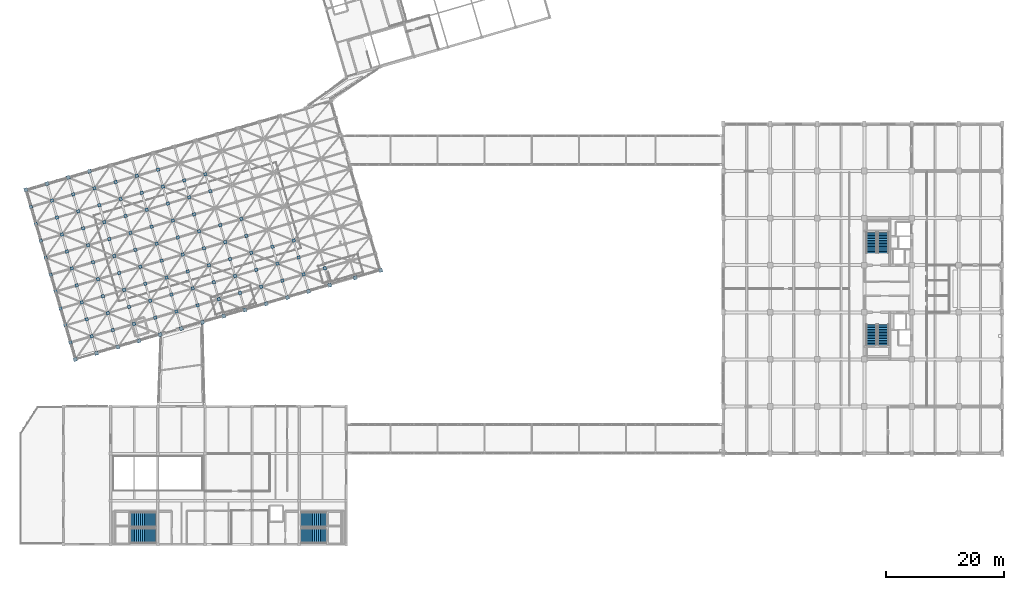
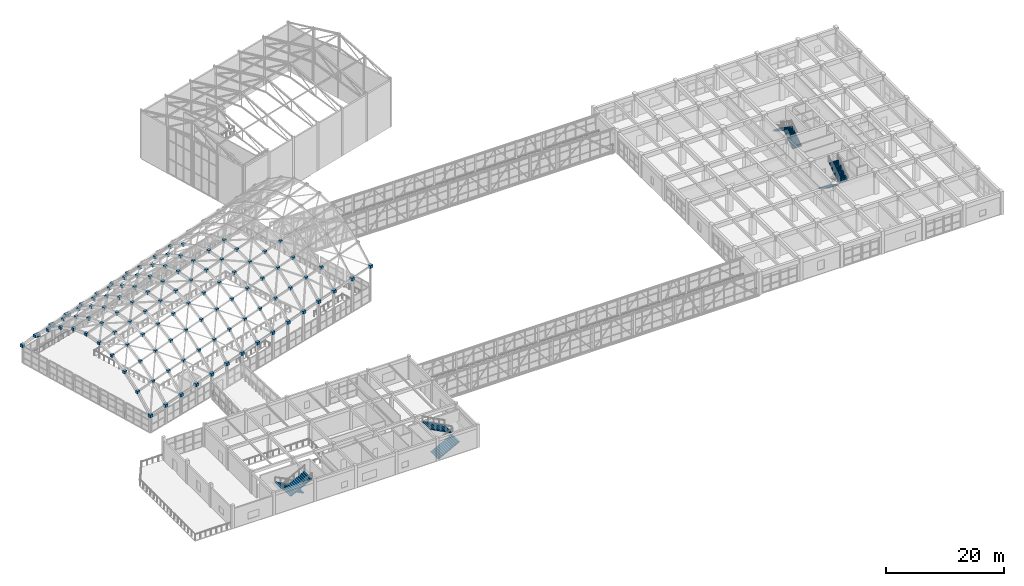
# One storey, part 230 of 248: 109 discrete accessories, 8 stair flights, 4 elements without a shape of their own.
"""IFC4 building model written with IfcOpenShell, lengths in metres."""

from ifc_helpers import new_model, si_unit, direction, frame, origin, origin_2d, place, context, subcontext, project, spatial, polyline, rectangle, outline, extrude, material, type_object, element, aggregate, save


model = new_model("IFC4")

# Units and contexts
model_context = context("Model", 3, precision=1e-05, world=origin(), true_north=direction((0.0, 1.0)))
body_context = subcontext(model_context, "Body", "Model", "MODEL_VIEW")
ifc_project = project(units=[si_unit("LENGTHUNIT", "METRE"), si_unit("AREAUNIT", "SQUARE_METRE"), si_unit("VOLUMEUNIT", "CUBIC_METRE"), si_unit("PLANEANGLEUNIT", "RADIAN"), si_unit("MASSUNIT", "GRAM", prefix="KILO")], contexts=[model_context])

# Site, building, storey
site_placement = place(None, origin())
site = spatial("IfcSite", under=ifc_project, at=site_placement, CompositionType="ELEMENT")
building_placement = place(site_placement, origin())
building = spatial("IfcBuilding", under=site, at=building_placement, Name="Canggui Botanical Conservatory", CompositionType="ELEMENT")
storey_placement = place(building_placement, frame((0.0, 0.0, 5.39990234375)))
storey = spatial("IfcBuildingStorey", under=building, at=storey_placement, Name="L02", CompositionType="ELEMENT", Elevation=5.39990234375)

# Stair, stair flights
ifc_material_1 = material(Name="Concrete C35", Category="concrete")
stair_type_1 = type_object("IfcStairType", Name="STR-TYPE-4", PredefinedType="HALF_TURN_STAIR", material=ifc_material_1)
stair_1_placement = place(storey_placement, origin())
stair_1 = element("IfcStair", 1, at=stair_1_placement, inside=storey, type_object=stair_type_1, Name="L02 Tower South Smoke-Proof Stair ST-T1", PredefinedType="HALF_TURN_STAIR")
stair_flight_type_1 = type_object("IfcStairFlightType", Name="SFL-TYPE-4", PredefinedType="STRAIGHT", material=ifc_material_1)
stair_flight_1_placement = place(storey_placement, frame((155.2099609375, 47.919921875, 0.0), z_axis=(0.0, 0.0, 1.0), x_axis=(0.0, -1.0, 0.0)))
stair_flight_1 = element("IfcStairFlight", 2, at=stair_flight_1_placement, type_object=stair_flight_type_1, Name="ST-T1 flight 1", NumberOfRisers=14, NumberOfTreads=13, PredefinedType="STRAIGHT", RiserHeight=0.171428571, TreadLength=0.268, context=body_context, shape_type="SweptSolid", body=[
    extrude(outline(polyline([(0.0, 0.0), (0.0, 0.17138671875), (0.26806640625, 0.17138671875), (0.26806640625, 0.3427734375), (0.535888671875, 0.3427734375), (0.535888671875, 0.514404296875), (0.803955078125, 0.514404296875), (0.803955078125, 0.685791015625), (1.072021484375, 0.685791015625), (1.072021484375, 0.857177734375), (1.340087890625, 0.857177734375), (1.340087890625, 1.028564453125), (1.60791015625, 1.028564453125), (1.60791015625, 1.199951171875), (1.8759765625, 1.199951171875), (1.8759765625, 1.371337890625), (2.14404296875, 1.371337890625), (2.14404296875, 1.54296875), (2.412109375, 1.54296875), (2.412109375, 1.71435546875), (2.679931640625, 1.71435546875), (2.679931640625, 1.8857421875), (2.947998046875, 1.8857421875), (2.947998046875, 2.05712890625), (3.216064453125, 2.05712890625), (3.216064453125, 2.228515625), (3.48388671875, 2.228515625), (3.48388671875, 2.39990234375), (3.48388671875, 2.0859375), (0.222900390625, 0.0), (0.0, 0.0)])), frame((0.0, 0.91015625, 0.0), z_axis=(0.0, -1.0, 0.0), x_axis=(1.0, 0.0, 0.0)), (0.0, 0.0, 1.0), 1.820068359375),
])
stair_flight_2_placement = place(storey_placement, frame((157.2099609375, 44.43603515625, 2.400146484375), z_axis=(0.0, 0.0, 1.0), x_axis=(0.0, 1.0, 0.0)))
stair_flight_2 = element("IfcStairFlight", 3, at=stair_flight_2_placement, type_object=stair_flight_type_1, Name="ST-T1 flight 2", NumberOfRisers=14, NumberOfTreads=13, PredefinedType="STRAIGHT", RiserHeight=0.171428571, TreadLength=0.268, context=body_context, shape_type="SweptSolid", body=[
    extrude(outline(polyline([(0.0, 0.0), (0.0, 0.17138671875), (0.26806640625, 0.17138671875), (0.26806640625, 0.3427734375), (0.535888671875, 0.3427734375), (0.535888671875, 0.514404296875), (0.803955078125, 0.514404296875), (0.803955078125, 0.685791015625), (1.072021484375, 0.685791015625), (1.072021484375, 0.857177734375), (1.340087890625, 0.857177734375), (1.340087890625, 1.028564453125), (1.60791015625, 1.028564453125), (1.60791015625, 1.199951171875), (1.8759765625, 1.199951171875), (1.8759765625, 1.371337890625), (2.14404296875, 1.371337890625), (2.14404296875, 1.54296875), (2.412109375, 1.54296875), (2.412109375, 1.71435546875), (2.679931640625, 1.71435546875), (2.679931640625, 1.8857421875), (2.947998046875, 1.8857421875), (2.947998046875, 2.05712890625), (3.216064453125, 2.05712890625), (3.216064453125, 2.228515625), (3.48388671875, 2.228515625), (3.48388671875, 2.39990234375), (3.48388671875, 2.0859375), (0.222900390625, 0.0), (0.0, 0.0)])), frame((0.0, 0.91015625, 0.0), z_axis=(0.0, -1.0, 0.0), x_axis=(1.0, 0.0, 0.0)), (0.0, 0.0, 1.0), 1.820068359375),
])
aggregate(stair_1, [stair_flight_1, stair_flight_2])

stair_2_placement = place(storey_placement, origin())
stair_2 = element("IfcStair", 4, at=stair_2_placement, inside=storey, type_object=stair_type_1, Name="L02 Tower North Smoke-Proof Stair ST-T2", PredefinedType="HALF_TURN_STAIR")
stair_flight_3_placement = place(storey_placement, frame((157.2099609375, 60.080078125, 0.0), z_axis=(0.0, 0.0, 1.0), x_axis=(0.0, 1.0, 0.0)))
stair_flight_3 = element("IfcStairFlight", 5, at=stair_flight_3_placement, type_object=stair_flight_type_1, Name="ST-T2 flight 1", NumberOfRisers=14, NumberOfTreads=13, PredefinedType="STRAIGHT", RiserHeight=0.171428571, TreadLength=0.268, context=body_context, shape_type="SweptSolid", body=[
    extrude(outline(polyline([(0.0, 0.0), (0.0, 0.17138671875), (0.26806640625, 0.17138671875), (0.26806640625, 0.3427734375), (0.535888671875, 0.3427734375), (0.535888671875, 0.514404296875), (0.803955078125, 0.514404296875), (0.803955078125, 0.685791015625), (1.072021484375, 0.685791015625), (1.072021484375, 0.857177734375), (1.340087890625, 0.857177734375), (1.340087890625, 1.028564453125), (1.60791015625, 1.028564453125), (1.60791015625, 1.199951171875), (1.8759765625, 1.199951171875), (1.8759765625, 1.371337890625), (2.14404296875, 1.371337890625), (2.14404296875, 1.54296875), (2.412109375, 1.54296875), (2.412109375, 1.71435546875), (2.679931640625, 1.71435546875), (2.679931640625, 1.8857421875), (2.947998046875, 1.8857421875), (2.947998046875, 2.05712890625), (3.216064453125, 2.05712890625), (3.216064453125, 2.228515625), (3.48388671875, 2.228515625), (3.48388671875, 2.39990234375), (3.48388671875, 2.0859375), (0.222900390625, 0.0), (0.0, 0.0)])), frame((0.0, 0.91015625, 0.0), z_axis=(0.0, -1.0, 0.0), x_axis=(1.0, 0.0, 0.0)), (0.0, 0.0, 1.0), 1.820068359375),
])
stair_flight_4_placement = place(storey_placement, frame((155.2099609375, 63.56396484375, 2.400146484375), z_axis=(0.0, 0.0, 1.0), x_axis=(0.0, -1.0, 0.0)))
stair_flight_4 = element("IfcStairFlight", 6, at=stair_flight_4_placement, type_object=stair_flight_type_1, Name="ST-T2 flight 2", NumberOfRisers=14, NumberOfTreads=13, PredefinedType="STRAIGHT", RiserHeight=0.171428571, TreadLength=0.268, context=body_context, shape_type="SweptSolid", body=[
    extrude(outline(polyline([(0.0, 0.0), (0.0, 0.17138671875), (0.26806640625, 0.17138671875), (0.26806640625, 0.3427734375), (0.535888671875, 0.3427734375), (0.535888671875, 0.514404296875), (0.803955078125, 0.514404296875), (0.803955078125, 0.685791015625), (1.072021484375, 0.685791015625), (1.072021484375, 0.857177734375), (1.340087890625, 0.857177734375), (1.340087890625, 1.028564453125), (1.60791015625, 1.028564453125), (1.60791015625, 1.199951171875), (1.8759765625, 1.199951171875), (1.8759765625, 1.371337890625), (2.14404296875, 1.371337890625), (2.14404296875, 1.54296875), (2.412109375, 1.54296875), (2.412109375, 1.71435546875), (2.679931640625, 1.71435546875), (2.679931640625, 1.8857421875), (2.947998046875, 1.8857421875), (2.947998046875, 2.05712890625), (3.216064453125, 2.05712890625), (3.216064453125, 2.228515625), (3.48388671875, 2.228515625), (3.48388671875, 2.39990234375), (3.48388671875, 2.0859375), (0.222900390625, 0.0), (0.0, 0.0)])), frame((0.0, 0.91015625, 0.0), z_axis=(0.0, -1.0, 0.0), x_axis=(1.0, 0.0, 0.0)), (0.0, 0.0, 1.0), 1.820068359375),
])
aggregate(stair_2, [stair_flight_3, stair_flight_4])

stair_type_2 = type_object("IfcStairType", Name="STR-TYPE-8", PredefinedType="HALF_TURN_STAIR", material=ifc_material_1)
stair_3_placement = place(storey_placement, origin())
stair_3 = element("IfcStair", 7, at=stair_3_placement, inside=storey, type_object=stair_type_2, Name="L02 Visitor Centre East Stair ST-V1", PredefinedType="HALF_TURN_STAIR")
stair_flight_type_2 = type_object("IfcStairFlightType", Name="SFL-TYPE-8", PredefinedType="STRAIGHT", material=ifc_material_1)
stair_flight_5_placement = place(storey_placement, frame((58.35009765625, 12.054931640625, 0.0), z_axis=(0.0, 0.0, 1.0), x_axis=(1.0, 0.0, 0.0)))
stair_flight_5 = element("IfcStairFlight", 8, at=stair_flight_5_placement, type_object=stair_flight_type_2, Name="ST-V1 flight 1", NumberOfRisers=14, NumberOfTreads=13, PredefinedType="STRAIGHT", RiserHeight=0.171428571, TreadLength=0.325, context=body_context, shape_type="SweptSolid", body=[
    extrude(outline(polyline([(0.0, 0.0), (0.0, 0.17138671875), (0.324951171875, 0.17138671875), (0.324951171875, 0.3427734375), (0.64990234375, 0.3427734375), (0.64990234375, 0.514404296875), (0.97509765625, 0.514404296875), (0.97509765625, 0.685791015625), (1.300048828125, 0.685791015625), (1.300048828125, 0.857177734375), (1.625, 0.857177734375), (1.625, 1.028564453125), (1.949951171875, 1.028564453125), (1.949951171875, 1.199951171875), (2.27490234375, 1.199951171875), (2.27490234375, 1.371337890625), (2.60009765625, 1.371337890625), (2.60009765625, 1.54296875), (2.925048828125, 1.54296875), (2.925048828125, 1.71435546875), (3.25, 1.71435546875), (3.25, 1.8857421875), (3.574951171875, 1.8857421875), (3.574951171875, 2.05712890625), (3.89990234375, 2.05712890625), (3.89990234375, 2.228515625), (4.22509765625, 2.228515625), (4.22509765625, 2.39990234375), (4.22509765625, 2.0927734375), (0.257568359375, 0.0), (0.0, 0.0)])), frame((0.0, 1.27490234375, 0.0), z_axis=(0.0, -1.0, 0.0), x_axis=(1.0, 0.0, 0.0)), (0.0, 0.0, 1.0), 2.550048828125),
])
stair_flight_6_placement = place(storey_placement, frame((62.574951171875, 14.764892578125, 2.400146484375), z_axis=(0.0, 0.0, 1.0), x_axis=(-1.0, 0.0, 0.0)))
stair_flight_6 = element("IfcStairFlight", 9, at=stair_flight_6_placement, type_object=stair_flight_type_2, Name="ST-V1 flight 2", NumberOfRisers=14, NumberOfTreads=13, PredefinedType="STRAIGHT", RiserHeight=0.171428571, TreadLength=0.325, context=body_context, shape_type="SweptSolid", body=[
    extrude(outline(polyline([(0.0, 0.0), (0.0, 0.17138671875), (0.324951171875, 0.17138671875), (0.324951171875, 0.3427734375), (0.64990234375, 0.3427734375), (0.64990234375, 0.514404296875), (0.97509765625, 0.514404296875), (0.97509765625, 0.685791015625), (1.300048828125, 0.685791015625), (1.300048828125, 0.857177734375), (1.625, 0.857177734375), (1.625, 1.028564453125), (1.949951171875, 1.028564453125), (1.949951171875, 1.199951171875), (2.27490234375, 1.199951171875), (2.27490234375, 1.371337890625), (2.60009765625, 1.371337890625), (2.60009765625, 1.54296875), (2.925048828125, 1.54296875), (2.925048828125, 1.71435546875), (3.25, 1.71435546875), (3.25, 1.8857421875), (3.574951171875, 1.8857421875), (3.574951171875, 2.05712890625), (3.89990234375, 2.05712890625), (3.89990234375, 2.228515625), (4.22509765625, 2.228515625), (4.22509765625, 2.39990234375), (4.22509765625, 2.0927734375), (0.257568359375, 0.0), (0.0, 0.0)])), frame((0.0, 1.27490234375, 0.0), z_axis=(0.0, -1.0, 0.0), x_axis=(1.0, 0.0, 0.0)), (0.0, 0.0, 1.0), 2.550048828125),
])
aggregate(stair_3, [stair_flight_5, stair_flight_6])

stair_4_placement = place(storey_placement, origin())
stair_4 = element("IfcStair", 10, at=stair_4_placement, inside=storey, type_object=stair_type_2, Name="L02 Visitor Centre West Stair ST-V2", PredefinedType="HALF_TURN_STAIR")
stair_flight_7_placement = place(storey_placement, frame((33.64990234375, 14.764892578125, 0.0), z_axis=(0.0, 0.0, 1.0), x_axis=(-1.0, 0.0, 0.0)))
stair_flight_7 = element("IfcStairFlight", 11, at=stair_flight_7_placement, type_object=stair_flight_type_2, Name="ST-V2 flight 1", NumberOfRisers=14, NumberOfTreads=13, PredefinedType="STRAIGHT", RiserHeight=0.171428571, TreadLength=0.325, context=body_context, shape_type="SweptSolid", body=[
    extrude(outline(polyline([(0.0, 0.0), (0.0, 0.17138671875), (0.324951171875, 0.17138671875), (0.324951171875, 0.3427734375), (0.64990234375, 0.3427734375), (0.64990234375, 0.514404296875), (0.97509765625, 0.514404296875), (0.97509765625, 0.685791015625), (1.300048828125, 0.685791015625), (1.300048828125, 0.857177734375), (1.625, 0.857177734375), (1.625, 1.028564453125), (1.949951171875, 1.028564453125), (1.949951171875, 1.199951171875), (2.27490234375, 1.199951171875), (2.27490234375, 1.371337890625), (2.60009765625, 1.371337890625), (2.60009765625, 1.54296875), (2.925048828125, 1.54296875), (2.925048828125, 1.71435546875), (3.25, 1.71435546875), (3.25, 1.8857421875), (3.574951171875, 1.8857421875), (3.574951171875, 2.05712890625), (3.89990234375, 2.05712890625), (3.89990234375, 2.228515625), (4.22509765625, 2.228515625), (4.22509765625, 2.39990234375), (4.22509765625, 2.0927734375), (0.257568359375, 0.0), (0.0, 0.0)])), frame((0.0, 1.27490234375, 0.0), z_axis=(0.0, -1.0, 0.0), x_axis=(1.0, 0.0, 0.0)), (0.0, 0.0, 1.0), 2.550048828125),
])
stair_flight_8_placement = place(storey_placement, frame((29.425048828125, 12.054931640625, 2.400146484375), z_axis=(0.0, 0.0, 1.0), x_axis=(1.0, 0.0, 0.0)))
stair_flight_8 = element("IfcStairFlight", 12, at=stair_flight_8_placement, type_object=stair_flight_type_2, Name="ST-V2 flight 2", NumberOfRisers=14, NumberOfTreads=13, PredefinedType="STRAIGHT", RiserHeight=0.171428571, TreadLength=0.325, context=body_context, shape_type="SweptSolid", body=[
    extrude(outline(polyline([(0.0, 0.0), (0.0, 0.17138671875), (0.324951171875, 0.17138671875), (0.324951171875, 0.3427734375), (0.64990234375, 0.3427734375), (0.64990234375, 0.514404296875), (0.97509765625, 0.514404296875), (0.97509765625, 0.685791015625), (1.300048828125, 0.685791015625), (1.300048828125, 0.857177734375), (1.625, 0.857177734375), (1.625, 1.028564453125), (1.949951171875, 1.028564453125), (1.949951171875, 1.199951171875), (2.27490234375, 1.199951171875), (2.27490234375, 1.371337890625), (2.60009765625, 1.371337890625), (2.60009765625, 1.54296875), (2.925048828125, 1.54296875), (2.925048828125, 1.71435546875), (3.25, 1.71435546875), (3.25, 1.8857421875), (3.574951171875, 1.8857421875), (3.574951171875, 2.05712890625), (3.89990234375, 2.05712890625), (3.89990234375, 2.228515625), (4.22509765625, 2.228515625), (4.22509765625, 2.39990234375), (4.22509765625, 2.0927734375), (0.257568359375, 0.0), (0.0, 0.0)])), frame((0.0, 1.27490234375, 0.0), z_axis=(0.0, -1.0, 0.0), x_axis=(1.0, 0.0, 0.0)), (0.0, 0.0, 1.0), 2.550048828125),
])
aggregate(stair_4, [stair_flight_7, stair_flight_8])

# Discrete accessories
ifc_material_2 = material(Name="Steel Q355C", Category="steel")
discrete_accessory_type_1 = type_object("IfcDiscreteAccessoryType", Name="ACC-CSN01", PredefinedType="USERDEFINED", material=ifc_material_2)
for number, where, z_axis, x_axis, name in (
    (13, (20.0, 42.0, 3.31005859375), (0.0, 0.0, 1.0), (0.960000000041, 0.279999999861, 0.0), "Gridshell Cast-Steel Support Node GS-N001"),
    (14, (11.60009765625, 70.800048828125, 3.31005859375), (0.0, 0.0, 1.0), (0.960000000041, 0.279999999861, 0.0), "Gridshell Cast-Steel Support Node GS-N011"),
    (15, (23.60009765625, 43.050048828125, 3.56005859375), (0.0, 0.0, 1.0), (0.960000000041, 0.279999999861, 0.0), "Gridshell Cast-Steel Support Node GS-N012"),
    (16, (15.199951171875, 71.85009765625, 3.56005859375), (0.0, 0.0, 1.0), (0.960000000041, 0.279999999861, 0.0), "Gridshell Cast-Steel Support Node GS-N022"),
    (17, (27.199951171875, 44.10009765625, 3.81005859375), (0.0, 0.0, 1.0), (0.960000000041, 0.279999999861, 0.0), "Gridshell Cast-Steel Support Node GS-N023"),
    (18, (18.800048828125, 72.89990234375, 3.81005859375), (0.0, 0.0, 1.0), (0.960000000041, 0.279999999861, 0.0), "Gridshell Cast-Steel Support Node GS-N033"),
    (19, (30.800048828125, 45.14990234375, 4.06005859375), (0.0, 0.0, 1.0), (0.960000000041, 0.279999999861, 0.0), "Gridshell Cast-Steel Support Node GS-N034"),
    (20, (22.39990234375, 73.949951171875, 4.06005859375), (0.0, 0.0, 1.0), (0.960000000041, 0.279999999861, 0.0), "Gridshell Cast-Steel Support Node GS-N044"),
    (21, (34.39990234375, 46.199951171875, 4.31005859375), (0.0, 0.0, 1.0), (0.960000000041, 0.279999999861, 0.0), "Gridshell Cast-Steel Support Node GS-N045"),
    (22, (38.0, 47.25, 4.56005859375), (0.0, 0.0, 1.0), (0.960000000041, 0.279999999861, 0.0), "Gridshell Cast-Steel Support Node GS-N056"),
    (23, (41.60009765625, 48.300048828125, 4.81005859375), (0.0, 0.0, 1.0), (0.960000000041, 0.279999999861, 0.0), "Gridshell Cast-Steel Support Node GS-N067"),
    (24, (45.199951171875, 49.35009765625, 5.06005859375), (0.0, 0.0, 1.0), (0.960000000041, 0.279999999861, 0.0), "Gridshell Cast-Steel Support Node GS-N078"),
    (25, (48.800048828125, 50.39990234375, 5.31005859375), (0.0, 0.0, 1.0), (0.960000000041, 0.279999999861, 0.0), "Gridshell Cast-Steel Support Node GS-N089"),
    (26, (52.39990234375, 51.449951171875, 5.56005859375), (0.0, 0.0, 1.0), (0.960000000041, 0.279999999861, 0.0), "Gridshell Cast-Steel Support Node GS-N100"),
    (27, (56.0, 52.5, 5.81005859375), (0.0, 0.0, 1.0), (0.960000000041, 0.279999999861, 0.0), "Gridshell Cast-Steel Support Node GS-N111"),
    (28, (59.60009765625, 53.550048828125, 6.06005859375), (0.0, 0.0, 1.0), (0.960000000041, 0.279999999861, 0.0), "Gridshell Cast-Steel Support Node GS-N122"),
    (29, (63.199951171875, 54.60009765625, 6.31005859375), (0.0, 0.0, 1.0), (0.960000000041, 0.279999999861, 0.0), "Gridshell Cast-Steel Support Node GS-N133"),
    (30, (67.52001953125, 55.860107421875, 6.610107421875), (0.0, 0.0, 1.0), (0.960000000041, 0.279999999861, 0.0), "Gridshell Cast-Steel Support Node GS-N144"),
    (31, (71.840087890625, 57.1201171875, 6.91015625), (0.0, 0.0, 1.0), (0.960000000041, 0.279999999861, 0.0), "Gridshell Cast-Steel Support Node GS-N155"),
):
    element("IfcDiscreteAccessory", number, at=place(storey_placement, frame(where, z_axis=z_axis, x_axis=x_axis)), inside=storey, type_object=discrete_accessory_type_1, Name=name, ObjectType="SPHERICAL NODE", PredefinedType="USERDEFINED", context=body_context, shape_type="SweptSolid", body=[
        extrude(rectangle(XDim=0.6201171875, YDim=0.6201171875, at=origin_2d()), origin(), (0.0, 0.0, 1.0), 0.580078125),
    ])
discrete_accessory_type_2 = type_object("IfcDiscreteAccessoryType", Name="ACC-WSN01", PredefinedType="USERDEFINED", material=ifc_material_2)
for number, where, z_axis, x_axis, name in (
    (32, (19.159912109375, 44.8798828125, 6.7861328125), (0.0, 0.0, 1.0), (0.960000000041, 0.279999999861, 0.0), "Gridshell Welded Hollow Spherical Node GS-N002"),
    (33, (18.320068359375, 47.760009765625, 9.47412109375), (0.0, 0.0, 1.0), (0.960000000041, 0.279999999861, 0.0), "Gridshell Welded Hollow Spherical Node GS-N003"),
    (34, (17.47998046875, 50.639892578125, 11.39404296875), (0.0, 0.0, 1.0), (0.960000000041, 0.279999999861, 0.0), "Gridshell Welded Hollow Spherical Node GS-N004"),
    (35, (16.639892578125, 53.52001953125, 12.546142578125), (0.0, 0.0, 1.0), (0.960000000041, 0.279999999861, 0.0), "Gridshell Welded Hollow Spherical Node GS-N005"),
    (36, (15.800048828125, 56.39990234375, 12.93017578125), (0.0, 0.0, 1.0), (0.960000000041, 0.279999999861, 0.0), "Gridshell Welded Hollow Spherical Node GS-N006"),
    (37, (14.9599609375, 59.280029296875, 12.546142578125), (0.0, 0.0, 1.0), (0.960000000041, 0.279999999861, 0.0), "Gridshell Welded Hollow Spherical Node GS-N007"),
    (38, (14.1201171875, 62.159912109375, 11.39404296875), (0.0, 0.0, 1.0), (0.960000000041, 0.279999999861, 0.0), "Gridshell Welded Hollow Spherical Node GS-N008"),
    (39, (13.280029296875, 65.0400390625, 9.47412109375), (0.0, 0.0, 1.0), (0.960000000041, 0.279999999861, 0.0), "Gridshell Welded Hollow Spherical Node GS-N009"),
    (40, (12.43994140625, 67.919921875, 6.7861328125), (0.0, 0.0, 1.0), (0.960000000041, 0.279999999861, 0.0), "Gridshell Welded Hollow Spherical Node GS-N010"),
    (41, (22.760009765625, 45.929931640625, 7.0361328125), (0.0, 0.0, 1.0), (0.960000000041, 0.279999999861, 0.0), "Gridshell Welded Hollow Spherical Node GS-N013"),
    (42, (21.919921875, 48.81005859375, 9.72412109375), (0.0, 0.0, 1.0), (0.960000000041, 0.279999999861, 0.0), "Gridshell Welded Hollow Spherical Node GS-N014"),
    (43, (21.080078125, 51.68994140625, 11.64404296875), (0.0, 0.0, 1.0), (0.960000000041, 0.279999999861, 0.0), "Gridshell Welded Hollow Spherical Node GS-N015"),
    (44, (20.239990234375, 54.570068359375, 12.796142578125), (0.0, 0.0, 1.0), (0.960000000041, 0.279999999861, 0.0), "Gridshell Welded Hollow Spherical Node GS-N016"),
    (45, (19.39990234375, 57.449951171875, 13.18017578125), (0.0, 0.0, 1.0), (0.960000000041, 0.279999999861, 0.0), "Gridshell Welded Hollow Spherical Node GS-N017"),
    (46, (18.56005859375, 60.330078125, 12.796142578125), (0.0, 0.0, 1.0), (0.960000000041, 0.279999999861, 0.0), "Gridshell Welded Hollow Spherical Node GS-N018"),
    (47, (17.719970703125, 63.2099609375, 11.64404296875), (0.0, 0.0, 1.0), (0.960000000041, 0.279999999861, 0.0), "Gridshell Welded Hollow Spherical Node GS-N019"),
    (48, (16.8798828125, 66.090087890625, 9.72412109375), (0.0, 0.0, 1.0), (0.960000000041, 0.279999999861, 0.0), "Gridshell Welded Hollow Spherical Node GS-N020"),
    (49, (16.0400390625, 68.969970703125, 7.0361328125), (0.0, 0.0, 1.0), (0.960000000041, 0.279999999861, 0.0), "Gridshell Welded Hollow Spherical Node GS-N021"),
    (50, (26.360107421875, 46.97998046875, 7.2861328125), (0.0, 0.0, 1.0), (0.960000000041, 0.279999999861, 0.0), "Gridshell Welded Hollow Spherical Node GS-N024"),
    (51, (25.52001953125, 49.860107421875, 9.97412109375), (0.0, 0.0, 1.0), (0.960000000041, 0.279999999861, 0.0), "Gridshell Welded Hollow Spherical Node GS-N025"),
    (52, (24.679931640625, 52.739990234375, 11.89404296875), (0.0, 0.0, 1.0), (0.960000000041, 0.279999999861, 0.0), "Gridshell Welded Hollow Spherical Node GS-N026"),
    (53, (23.840087890625, 55.6201171875, 13.046142578125), (0.0, 0.0, 1.0), (0.960000000041, 0.279999999861, 0.0), "Gridshell Welded Hollow Spherical Node GS-N027"),
    (54, (23.0, 58.5, 13.43017578125), (0.0, 0.0, 1.0), (0.960000000041, 0.279999999861, 0.0), "Gridshell Welded Hollow Spherical Node GS-N028"),
    (55, (22.159912109375, 61.3798828125, 13.046142578125), (0.0, 0.0, 1.0), (0.960000000041, 0.279999999861, 0.0), "Gridshell Welded Hollow Spherical Node GS-N029"),
    (56, (21.320068359375, 64.260009765625, 11.89404296875), (0.0, 0.0, 1.0), (0.960000000041, 0.279999999861, 0.0), "Gridshell Welded Hollow Spherical Node GS-N030"),
    (57, (20.47998046875, 67.139892578125, 9.97412109375), (0.0, 0.0, 1.0), (0.960000000041, 0.279999999861, 0.0), "Gridshell Welded Hollow Spherical Node GS-N031"),
    (58, (19.639892578125, 70.02001953125, 7.2861328125), (0.0, 0.0, 1.0), (0.960000000041, 0.279999999861, 0.0), "Gridshell Welded Hollow Spherical Node GS-N032"),
    (59, (29.9599609375, 48.030029296875, 7.5361328125), (0.0, 0.0, 1.0), (0.960000000041, 0.279999999861, 0.0), "Gridshell Welded Hollow Spherical Node GS-N035"),
    (60, (29.1201171875, 50.909912109375, 10.22412109375), (0.0, 0.0, 1.0), (0.960000000041, 0.279999999861, 0.0), "Gridshell Welded Hollow Spherical Node GS-N036"),
    (61, (28.280029296875, 53.7900390625, 12.14404296875), (0.0, 0.0, 1.0), (0.960000000041, 0.279999999861, 0.0), "Gridshell Welded Hollow Spherical Node GS-N037"),
    (62, (27.43994140625, 56.669921875, 13.296142578125), (0.0, 0.0, 1.0), (0.960000000041, 0.279999999861, 0.0), "Gridshell Welded Hollow Spherical Node GS-N038"),
    (63, (26.60009765625, 59.550048828125, 13.68017578125), (0.0, 0.0, 1.0), (0.960000000041, 0.279999999861, 0.0), "Gridshell Welded Hollow Spherical Node GS-N039"),
    (64, (25.760009765625, 62.429931640625, 13.296142578125), (0.0, 0.0, 1.0), (0.960000000041, 0.279999999861, 0.0), "Gridshell Welded Hollow Spherical Node GS-N040"),
    (65, (24.919921875, 65.31005859375, 12.14404296875), (0.0, 0.0, 1.0), (0.960000000041, 0.279999999861, 0.0), "Gridshell Welded Hollow Spherical Node GS-N041"),
    (66, (24.080078125, 68.18994140625, 10.22412109375), (0.0, 0.0, 1.0), (0.960000000041, 0.279999999861, 0.0), "Gridshell Welded Hollow Spherical Node GS-N042"),
    (67, (23.239990234375, 71.070068359375, 7.5361328125), (0.0, 0.0, 1.0), (0.960000000041, 0.279999999861, 0.0), "Gridshell Welded Hollow Spherical Node GS-N043"),
    (68, (33.56005859375, 49.080078125, 7.7861328125), (0.0, 0.0, 1.0), (0.960000000041, 0.279999999861, 0.0), "Gridshell Welded Hollow Spherical Node GS-N046"),
    (69, (32.719970703125, 51.9599609375, 10.47412109375), (0.0, 0.0, 1.0), (0.960000000041, 0.279999999861, 0.0), "Gridshell Welded Hollow Spherical Node GS-N047"),
    (70, (31.8798828125, 54.840087890625, 12.39404296875), (0.0, 0.0, 1.0), (0.960000000041, 0.279999999861, 0.0), "Gridshell Welded Hollow Spherical Node GS-N048"),
    (71, (31.0400390625, 57.719970703125, 13.546142578125), (0.0, 0.0, 1.0), (0.960000000041, 0.279999999861, 0.0), "Gridshell Welded Hollow Spherical Node GS-N049"),
    (72, (30.199951171875, 60.60009765625, 13.93017578125), (0.0, 0.0, 1.0), (0.960000000041, 0.279999999861, 0.0), "Gridshell Welded Hollow Spherical Node GS-N050"),
    (73, (29.360107421875, 63.47998046875, 13.546142578125), (0.0, 0.0, 1.0), (0.960000000041, 0.279999999861, 0.0), "Gridshell Welded Hollow Spherical Node GS-N051"),
    (74, (28.52001953125, 66.360107421875, 12.39404296875), (0.0, 0.0, 1.0), (0.960000000041, 0.279999999861, 0.0), "Gridshell Welded Hollow Spherical Node GS-N052"),
    (75, (27.679931640625, 69.239990234375, 10.47412109375), (0.0, 0.0, 1.0), (0.960000000041, 0.279999999861, 0.0), "Gridshell Welded Hollow Spherical Node GS-N053"),
    (76, (26.840087890625, 72.1201171875, 7.7861328125), (0.0, 0.0, 1.0), (0.960000000041, 0.279999999861, 0.0), "Gridshell Welded Hollow Spherical Node GS-N054"),
    (77, (37.159912109375, 50.1298828125, 8.0361328125), (0.0, 0.0, 1.0), (0.960000000041, 0.279999999861, 0.0), "Gridshell Welded Hollow Spherical Node GS-N057"),
    (78, (36.320068359375, 53.010009765625, 10.72412109375), (0.0, 0.0, 1.0), (0.960000000041, 0.279999999861, 0.0), "Gridshell Welded Hollow Spherical Node GS-N058"),
    (79, (35.47998046875, 55.889892578125, 12.64404296875), (0.0, 0.0, 1.0), (0.960000000041, 0.279999999861, 0.0), "Gridshell Welded Hollow Spherical Node GS-N059"),
    (80, (34.639892578125, 58.77001953125, 13.796142578125), (0.0, 0.0, 1.0), (0.960000000041, 0.279999999861, 0.0), "Gridshell Welded Hollow Spherical Node GS-N060"),
    (81, (33.800048828125, 61.64990234375, 14.18017578125), (0.0, 0.0, 1.0), (0.960000000041, 0.279999999861, 0.0), "Gridshell Welded Hollow Spherical Node GS-N061"),
    (82, (32.9599609375, 64.530029296875, 13.796142578125), (0.0, 0.0, 1.0), (0.960000000041, 0.279999999861, 0.0), "Gridshell Welded Hollow Spherical Node GS-N062"),
    (83, (32.1201171875, 67.409912109375, 12.64404296875), (0.0, 0.0, 1.0), (0.960000000041, 0.279999999861, 0.0), "Gridshell Welded Hollow Spherical Node GS-N063"),
    (84, (31.280029296875, 70.2900390625, 10.72412109375), (0.0, 0.0, 1.0), (0.960000000041, 0.279999999861, 0.0), "Gridshell Welded Hollow Spherical Node GS-N064"),
    (85, (30.43994140625, 73.169921875, 8.0361328125), (0.0, 0.0, 1.0), (0.960000000041, 0.279999999861, 0.0), "Gridshell Welded Hollow Spherical Node GS-N065"),
    (86, (40.760009765625, 51.179931640625, 8.2861328125), (0.0, 0.0, 1.0), (0.960000000041, 0.279999999861, 0.0), "Gridshell Welded Hollow Spherical Node GS-N068"),
    (87, (39.919921875, 54.06005859375, 10.97412109375), (0.0, 0.0, 1.0), (0.960000000041, 0.279999999861, 0.0), "Gridshell Welded Hollow Spherical Node GS-N069"),
    (88, (39.080078125, 56.93994140625, 12.89404296875), (0.0, 0.0, 1.0), (0.960000000041, 0.279999999861, 0.0), "Gridshell Welded Hollow Spherical Node GS-N070"),
    (89, (38.239990234375, 59.820068359375, 14.046142578125), (0.0, 0.0, 1.0), (0.960000000041, 0.279999999861, 0.0), "Gridshell Welded Hollow Spherical Node GS-N071"),
    (90, (37.39990234375, 62.699951171875, 14.43017578125), (0.0, 0.0, 1.0), (0.960000000041, 0.279999999861, 0.0), "Gridshell Welded Hollow Spherical Node GS-N072"),
    (91, (36.56005859375, 65.580078125, 14.046142578125), (0.0, 0.0, 1.0), (0.960000000041, 0.279999999861, 0.0), "Gridshell Welded Hollow Spherical Node GS-N073"),
    (92, (35.719970703125, 68.4599609375, 12.89404296875), (0.0, 0.0, 1.0), (0.960000000041, 0.279999999861, 0.0), "Gridshell Welded Hollow Spherical Node GS-N074"),
    (93, (34.8798828125, 71.340087890625, 10.97412109375), (0.0, 0.0, 1.0), (0.960000000041, 0.279999999861, 0.0), "Gridshell Welded Hollow Spherical Node GS-N075"),
    (94, (34.0400390625, 74.219970703125, 8.2861328125), (0.0, 0.0, 1.0), (0.960000000041, 0.279999999861, 0.0), "Gridshell Welded Hollow Spherical Node GS-N076"),
    (95, (44.360107421875, 52.22998046875, 8.5361328125), (0.0, 0.0, 1.0), (0.960000000041, 0.279999999861, 0.0), "Gridshell Welded Hollow Spherical Node GS-N079"),
    (96, (43.52001953125, 55.110107421875, 11.22412109375), (0.0, 0.0, 1.0), (0.960000000041, 0.279999999861, 0.0), "Gridshell Welded Hollow Spherical Node GS-N080"),
    (97, (42.679931640625, 57.989990234375, 13.14404296875), (0.0, 0.0, 1.0), (0.960000000041, 0.279999999861, 0.0), "Gridshell Welded Hollow Spherical Node GS-N081"),
    (98, (41.840087890625, 60.8701171875, 14.296142578125), (0.0, 0.0, 1.0), (0.960000000041, 0.279999999861, 0.0), "Gridshell Welded Hollow Spherical Node GS-N082"),
    (99, (41.0, 63.75, 14.68017578125), (0.0, 0.0, 1.0), (0.960000000041, 0.279999999861, 0.0), "Gridshell Welded Hollow Spherical Node GS-N083"),
    (100, (40.159912109375, 66.6298828125, 14.296142578125), (0.0, 0.0, 1.0), (0.960000000041, 0.279999999861, 0.0), "Gridshell Welded Hollow Spherical Node GS-N084"),
    (101, (39.320068359375, 69.510009765625, 13.14404296875), (0.0, 0.0, 1.0), (0.960000000041, 0.279999999861, 0.0), "Gridshell Welded Hollow Spherical Node GS-N085"),
    (102, (38.47998046875, 72.389892578125, 11.22412109375), (0.0, 0.0, 1.0), (0.960000000041, 0.279999999861, 0.0), "Gridshell Welded Hollow Spherical Node GS-N086"),
    (103, (47.9599609375, 53.280029296875, 8.7861328125), (0.0, 0.0, 1.0), (0.960000000041, 0.279999999861, 0.0), "Gridshell Welded Hollow Spherical Node GS-N090"),
    (104, (47.1201171875, 56.159912109375, 11.47412109375), (0.0, 0.0, 1.0), (0.960000000041, 0.279999999861, 0.0), "Gridshell Welded Hollow Spherical Node GS-N091"),
    (105, (46.280029296875, 59.0400390625, 13.39404296875), (0.0, 0.0, 1.0), (0.960000000041, 0.279999999861, 0.0), "Gridshell Welded Hollow Spherical Node GS-N092"),
    (106, (45.43994140625, 61.919921875, 14.546142578125), (0.0, 0.0, 1.0), (0.960000000041, 0.279999999861, 0.0), "Gridshell Welded Hollow Spherical Node GS-N093"),
    (107, (44.60009765625, 64.800048828125, 14.93017578125), (0.0, 0.0, 1.0), (0.960000000041, 0.279999999861, 0.0), "Gridshell Welded Hollow Spherical Node GS-N094"),
    (108, (42.919921875, 70.56005859375, 13.39404296875), (0.0, 0.0, 1.0), (0.960000000041, 0.279999999861, 0.0), "Gridshell Welded Hollow Spherical Node GS-N096"),
    (109, (42.080078125, 73.43994140625, 11.47412109375), (0.0, 0.0, 1.0), (0.960000000041, 0.279999999861, 0.0), "Gridshell Welded Hollow Spherical Node GS-N097"),
    (110, (51.56005859375, 54.330078125, 9.0361328125), (0.0, 0.0, 1.0), (0.960000000041, 0.279999999861, 0.0), "Gridshell Welded Hollow Spherical Node GS-N101"),
    (111, (50.719970703125, 57.2099609375, 11.72412109375), (0.0, 0.0, 1.0), (0.960000000041, 0.279999999861, 0.0), "Gridshell Welded Hollow Spherical Node GS-N102"),
    (112, (49.8798828125, 60.090087890625, 13.64404296875), (0.0, 0.0, 1.0), (0.960000000041, 0.279999999861, 0.0), "Gridshell Welded Hollow Spherical Node GS-N103"),
    (113, (49.0400390625, 62.969970703125, 14.796142578125), (0.0, 0.0, 1.0), (0.960000000041, 0.279999999861, 0.0), "Gridshell Welded Hollow Spherical Node GS-N104"),
    (114, (48.199951171875, 65.85009765625, 15.18017578125), (0.0, 0.0, 1.0), (0.960000000041, 0.279999999861, 0.0), "Gridshell Welded Hollow Spherical Node GS-N105"),
    (115, (55.159912109375, 55.3798828125, 9.2861328125), (0.0, 0.0, 1.0), (0.960000000041, 0.279999999861, 0.0), "Gridshell Welded Hollow Spherical Node GS-N112"),
    (116, (54.320068359375, 58.260009765625, 11.97412109375), (0.0, 0.0, 1.0), (0.960000000041, 0.279999999861, 0.0), "Gridshell Welded Hollow Spherical Node GS-N113"),
    (117, (53.47998046875, 61.139892578125, 13.89404296875), (0.0, 0.0, 1.0), (0.960000000041, 0.279999999861, 0.0), "Gridshell Welded Hollow Spherical Node GS-N114"),
    (118, (58.760009765625, 56.429931640625, 9.5361328125), (0.0, 0.0, 1.0), (0.960000000041, 0.279999999861, 0.0), "Gridshell Welded Hollow Spherical Node GS-N123"),
    (119, (57.919921875, 59.31005859375, 12.22412109375), (0.0, 0.0, 1.0), (0.960000000041, 0.279999999861, 0.0), "Gridshell Welded Hollow Spherical Node GS-N124"),
    (120, (57.080078125, 62.18994140625, 14.14404296875), (0.0, 0.0, 1.0), (0.960000000041, 0.279999999861, 0.0), "Gridshell Welded Hollow Spherical Node GS-N125"),
    (121, (62.360107421875, 57.47998046875, 9.7861328125), (0.0, 0.0, 1.0), (0.960000000041, 0.279999999861, 0.0), "Gridshell Welded Hollow Spherical Node GS-N134"),
):
    element("IfcDiscreteAccessory", number, at=place(storey_placement, frame(where, z_axis=z_axis, x_axis=x_axis)), inside=storey, type_object=discrete_accessory_type_2, Name=name, ObjectType="SPHERICAL NODE", PredefinedType="USERDEFINED", context=body_context, shape_type="SweptSolid", body=[
        extrude(rectangle(XDim=0.5400390625, YDim=0.5400390625, at=origin_2d()), origin(), (0.0, 0.0, 1.0), 0.5400390625),
    ])

save(model, "model.ifc")
